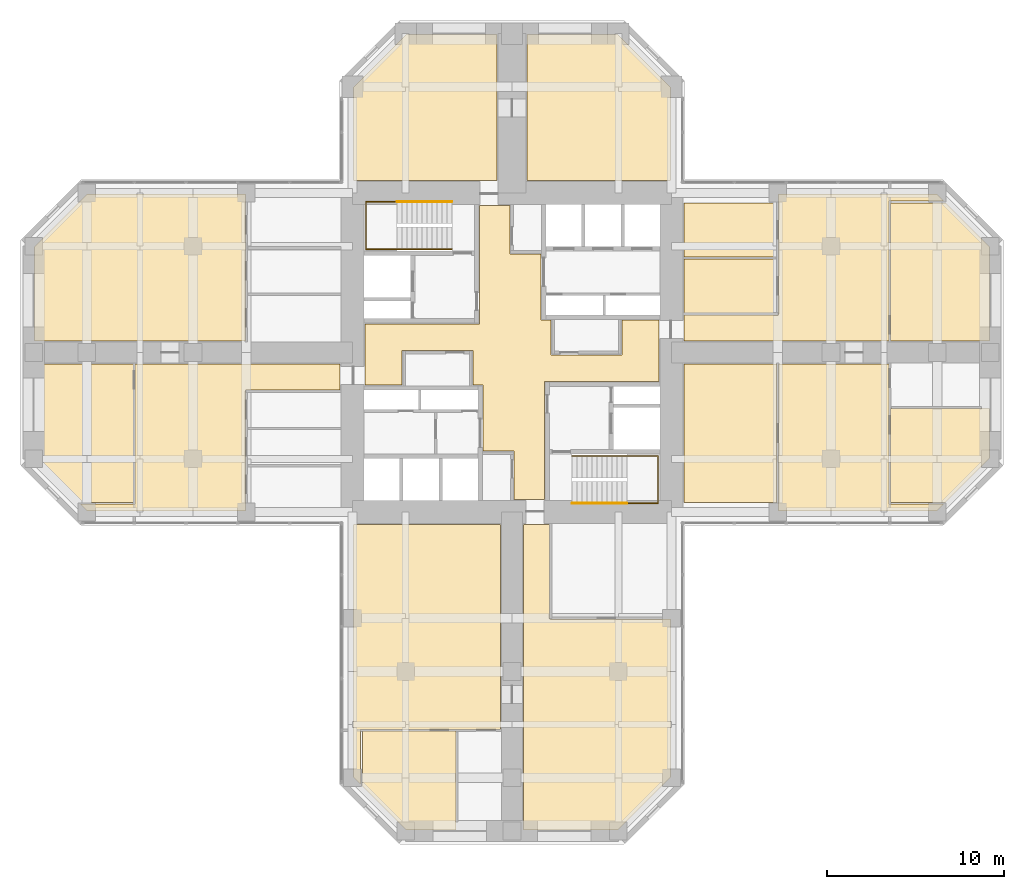
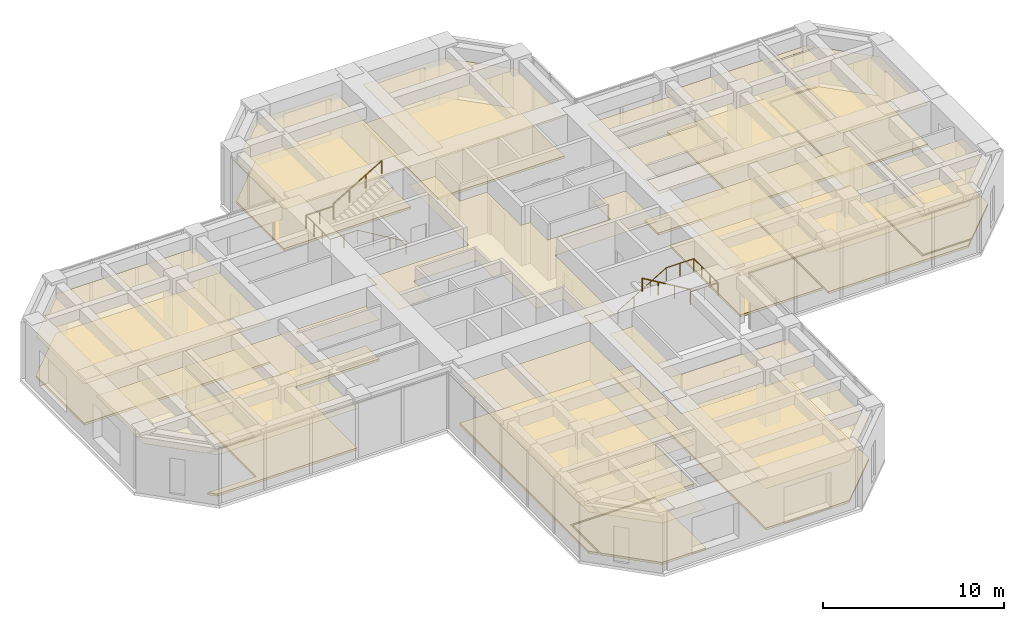
# One storey, part 12 of 12: 28 coverings, 4 railings.
"""IFC4 building model written with IfcOpenShell, lengths in metres."""

from ifc_helpers import new_model, si_unit, direction, frame, origin, origin_2d, place, context, subcontext, project, spatial, polyline, circle, outline, extrude, material, layer, layer_set, constituent, constituent_set, type_object, element, save


model = new_model("IFC4")

# Units and contexts
model_context = context("Model", 3, precision=1e-05, world=origin(), true_north=direction((0.0, 1.0)))
body_context = subcontext(model_context, "Body", "Model", "MODEL_VIEW")
ifc_project = project(units=[si_unit("LENGTHUNIT", "METRE"), si_unit("AREAUNIT", "SQUARE_METRE"), si_unit("VOLUMEUNIT", "CUBIC_METRE"), si_unit("PLANEANGLEUNIT", "RADIAN"), si_unit("MASSUNIT", "GRAM", prefix="KILO")], contexts=[model_context])

# Site, building, storey
site_placement = place(None, origin())
site = spatial("IfcSite", under=ifc_project, at=site_placement, CompositionType="ELEMENT")
building_placement = place(site_placement, origin())
building = spatial("IfcBuilding", under=site, at=building_placement, Name="Torre Cruceta", CompositionType="ELEMENT")
storey_placement = place(building_placement, frame((0.0, 0.0, 108.5)))
storey = spatial("IfcBuildingStorey", under=building, at=storey_placement, Name="L26", CompositionType="ELEMENT", Elevation=108.5)

# Railings
ifc_material_1 = material(Name="Stainless steel 1.4401", Category="steel")
railing_type = type_object("IfcRailingType", Name="HANDRAIL 900", PredefinedType="HANDRAIL", material=ifc_material_1)
railing_1_placement = place(storey_placement, frame((-3.39990234375, 5.8349609375, 0.166748046875)))
element("IfcRailing", 1, at=railing_1_placement, inside=storey, type_object=railing_type, Name="Handrail HR1 ST1 L26", PredefinedType="HANDRAIL", context=body_context, shape_type="SweptSolid", body=[
    extrude(circle(Radius=0.02392578125, at=origin_2d()), frame((0.0, 0.0, 0.8759765625), z_axis=(-0.859308565015, 0.0, 0.511457515432), x_axis=(0.0, -1.0, 0.0)), (0.0, 0.0, 1.0), 3.58447265625),
    extrude(circle(Radius=0.02392578125, at=origin_2d()), frame((-3.080078125, 0.0, 2.708984375), z_axis=(-1.0, 0.0, 0.0), x_axis=(0.0, -1.0, 0.0)), (0.0, 0.0, 1.0), 1.760009765625),
    extrude(circle(Radius=0.02392578125, at=origin_2d()), frame((-4.840087890625, 0.0, 2.708984375), z_axis=(0.0, 1.0, 0.0), x_axis=(-1.0, 0.0, 0.0)), (0.0, 0.0, 1.0), 2.679931640625),
    extrude(circle(Radius=0.02392578125, at=origin_2d()), frame((-4.840087890625, 2.679931640625, 2.708984375), z_axis=(1.0, 0.0, 0.0), x_axis=(0.0, 1.0, 0.0)), (0.0, 0.0, 1.0), 1.760009765625),
    extrude(circle(Radius=0.02099609375, at=origin_2d()), origin(), (0.0, 0.0, 1.0), 0.851806640625),
    extrude(circle(Radius=0.02099609375, at=origin_2d()), frame((-1.026611328125, 0.0, 0.611083984375)), (0.0, 0.0, 1.0), 0.851806640625),
    extrude(circle(Radius=0.02099609375, at=origin_2d()), frame((-2.053466796875, 0.0, 1.22216796875)), (0.0, 0.0, 1.0), 0.851806640625),
    extrude(circle(Radius=0.02099609375, at=origin_2d()), frame((-3.080078125, 0.0, 1.833251953125)), (0.0, 0.0, 1.0), 0.851806640625),
    extrude(circle(Radius=0.02099609375, at=origin_2d()), frame((-3.9599609375, 0.0, 1.833251953125)), (0.0, 0.0, 1.0), 0.851806640625),
    extrude(circle(Radius=0.02099609375, at=origin_2d()), frame((-4.840087890625, 0.0, 1.833251953125)), (0.0, 0.0, 1.0), 0.851806640625),
    extrude(circle(Radius=0.02099609375, at=origin_2d()), frame((-4.840087890625, 0.893310546875, 1.833251953125)), (0.0, 0.0, 1.0), 0.851806640625),
    extrude(circle(Radius=0.02099609375, at=origin_2d()), frame((-4.840087890625, 1.78662109375, 1.833251953125)), (0.0, 0.0, 1.0), 0.851806640625),
    extrude(circle(Radius=0.02099609375, at=origin_2d()), frame((-4.840087890625, 2.679931640625, 1.833251953125)), (0.0, 0.0, 1.0), 0.851806640625),
    extrude(circle(Radius=0.02099609375, at=origin_2d()), frame((-3.9599609375, 2.679931640625, 1.833251953125)), (0.0, 0.0, 1.0), 0.851806640625),
    extrude(circle(Radius=0.02099609375, at=origin_2d()), frame((-3.080078125, 2.679931640625, 1.833251953125)), (0.0, 0.0, 1.0), 0.851806640625),
])
railing_2_placement = place(storey_placement, frame((-6.47998046875, 8.514892578125, 2.166748046875)))
element("IfcRailing", 2, at=railing_2_placement, inside=storey, type_object=railing_type, Name="Handrail HR1 ST1 L26", PredefinedType="HANDRAIL", context=body_context, shape_type="SweptSolid", body=[
    extrude(circle(Radius=0.02392578125, at=origin_2d()), frame((0.0, 0.0, 0.8759765625), z_axis=(0.859308565015, 0.0, 0.511457515432), x_axis=(0.0, 1.0, 0.0)), (0.0, 0.0, 1.0), 3.58447265625),
    extrude(circle(Radius=0.02099609375, at=origin_2d()), origin(), (0.0, 0.0, 1.0), 0.851806640625),
    extrude(circle(Radius=0.02099609375, at=origin_2d()), frame((1.026611328125, 0.0, 0.611083984375)), (0.0, 0.0, 1.0), 0.851806640625),
    extrude(circle(Radius=0.02099609375, at=origin_2d()), frame((2.053466796875, 0.0, 1.22216796875)), (0.0, 0.0, 1.0), 0.851806640625),
    extrude(circle(Radius=0.02099609375, at=origin_2d()), frame((3.080078125, 0.0, 1.833251953125)), (0.0, 0.0, 1.0), 0.851806640625),
])
railing_3_placement = place(storey_placement, frame((3.39990234375, -5.8349609375, 0.166748046875)))
element("IfcRailing", 3, at=railing_3_placement, inside=storey, type_object=railing_type, Name="Handrail HR1 ST2 L26", PredefinedType="HANDRAIL", context=body_context, shape_type="SweptSolid", body=[
    extrude(circle(Radius=0.02392578125, at=origin_2d()), frame((0.0, 0.0, 0.8759765625), z_axis=(0.859308565015, 0.0, 0.511457515432), x_axis=(0.0, 1.0, 0.0)), (0.0, 0.0, 1.0), 3.58447265625),
    extrude(circle(Radius=0.02392578125, at=origin_2d()), frame((3.080078125, 0.0, 2.708984375), z_axis=(1.0, 0.0, 0.0), x_axis=(0.0, 1.0, 0.0)), (0.0, 0.0, 1.0), 1.760009765625),
    extrude(circle(Radius=0.02392578125, at=origin_2d()), frame((4.840087890625, 0.0, 2.708984375), z_axis=(0.0, -1.0, 0.0), x_axis=(1.0, 0.0, 0.0)), (0.0, 0.0, 1.0), 2.679931640625),
    extrude(circle(Radius=0.02392578125, at=origin_2d()), frame((4.840087890625, -2.679931640625, 2.708984375), z_axis=(-1.0, 0.0, 0.0), x_axis=(0.0, -1.0, 0.0)), (0.0, 0.0, 1.0), 1.760009765625),
    extrude(circle(Radius=0.02099609375, at=origin_2d()), origin(), (0.0, 0.0, 1.0), 0.851806640625),
    extrude(circle(Radius=0.02099609375, at=origin_2d()), frame((1.026611328125, 0.0, 0.611083984375)), (0.0, 0.0, 1.0), 0.851806640625),
    extrude(circle(Radius=0.02099609375, at=origin_2d()), frame((2.053466796875, 0.0, 1.22216796875)), (0.0, 0.0, 1.0), 0.851806640625),
    extrude(circle(Radius=0.02099609375, at=origin_2d()), frame((3.080078125, 0.0, 1.833251953125)), (0.0, 0.0, 1.0), 0.851806640625),
    extrude(circle(Radius=0.02099609375, at=origin_2d()), frame((3.9599609375, 0.0, 1.833251953125)), (0.0, 0.0, 1.0), 0.851806640625),
    extrude(circle(Radius=0.02099609375, at=origin_2d()), frame((4.840087890625, 0.0, 1.833251953125)), (0.0, 0.0, 1.0), 0.851806640625),
    extrude(circle(Radius=0.02099609375, at=origin_2d()), frame((4.840087890625, -0.893310546875, 1.833251953125)), (0.0, 0.0, 1.0), 0.851806640625),
    extrude(circle(Radius=0.02099609375, at=origin_2d()), frame((4.840087890625, -1.78662109375, 1.833251953125)), (0.0, 0.0, 1.0), 0.851806640625),
    extrude(circle(Radius=0.02099609375, at=origin_2d()), frame((4.840087890625, -2.679931640625, 1.833251953125)), (0.0, 0.0, 1.0), 0.851806640625),
    extrude(circle(Radius=0.02099609375, at=origin_2d()), frame((3.9599609375, -2.679931640625, 1.833251953125)), (0.0, 0.0, 1.0), 0.851806640625),
    extrude(circle(Radius=0.02099609375, at=origin_2d()), frame((3.080078125, -2.679931640625, 1.833251953125)), (0.0, 0.0, 1.0), 0.851806640625),
])
railing_4_placement = place(storey_placement, frame((6.47998046875, -8.514892578125, 2.166748046875)))
element("IfcRailing", 4, at=railing_4_placement, inside=storey, type_object=railing_type, Name="Handrail HR1 ST2 L26", PredefinedType="HANDRAIL", context=body_context, shape_type="SweptSolid", body=[
    extrude(circle(Radius=0.02392578125, at=origin_2d()), frame((0.0, 0.0, 0.8759765625), z_axis=(-0.859308565015, 0.0, 0.511457515432), x_axis=(0.0, -1.0, 0.0)), (0.0, 0.0, 1.0), 3.58447265625),
    extrude(circle(Radius=0.02099609375, at=origin_2d()), origin(), (0.0, 0.0, 1.0), 0.851806640625),
    extrude(circle(Radius=0.02099609375, at=origin_2d()), frame((-1.026611328125, 0.0, 0.611083984375)), (0.0, 0.0, 1.0), 0.851806640625),
    extrude(circle(Radius=0.02099609375, at=origin_2d()), frame((-2.053466796875, 0.0, 1.22216796875)), (0.0, 0.0, 1.0), 0.851806640625),
    extrude(circle(Radius=0.02099609375, at=origin_2d()), frame((-3.080078125, 0.0, 1.833251953125)), (0.0, 0.0, 1.0), 0.851806640625),
])

# Coverings
ifc_material_2 = material(Name="Steel DX51D", Category="steel")
ifc_constituent_1 = constituent(ifc_material_2, Name="Panel casing")
ifc_material_3 = material(Name="Calcium sulphate", Category="gypsum")
ifc_constituent_2 = constituent(ifc_material_3, Name="Panel core")
ifc_constituent_set = constituent_set(constituents=[ifc_constituent_1, ifc_constituent_2], Name="Raised access floor panel")
covering_type_1 = type_object("IfcCoveringType", Name="RAISED ACCESS FLOOR 150", PredefinedType="FLOORING", material=ifc_constituent_set)
covering_1_placement = place(storey_placement, origin())
element("IfcCovering", 5, at=covering_1_placement, inside=storey, type_object=covering_type_1, Name="Raised floor L26-027", PredefinedType="FLOORING", context=body_context, shape_type="SweptSolid", body=[
    extrude(outline(polyline([(-8.949951171875, 9.699951171875), (-8.949951171875, 14.979248046875), (-5.979248046875, 17.949951171875), (-0.85009765625, 17.949951171875), (-0.85009765625, 9.699951171875), (-8.949951171875, 9.699951171875)])), origin(), (0.0, 0.0, 1.0), 0.14990234375),
])
covering_2_placement = place(storey_placement, origin())
element("IfcCovering", 6, at=covering_2_placement, inside=storey, type_object=covering_type_1, Name="Raised floor L26-028", PredefinedType="FLOORING", context=body_context, shape_type="SweptSolid", body=[
    extrude(outline(polyline([(5.979248046875, 17.949951171875), (8.949951171875, 14.979248046875), (8.949951171875, 9.699951171875), (0.85009765625, 9.699951171875), (0.85009765625, 17.949951171875), (5.979248046875, 17.949951171875)])), origin(), (0.0, 0.0, 1.0), 0.14990234375),
])
covering_3_placement = place(storey_placement, origin())
element("IfcCovering", 7, at=covering_3_placement, inside=storey, type_object=covering_type_1, Name="Raised floor L26-031", PredefinedType="FLOORING", context=body_context, shape_type="SweptSolid", body=[
    extrude(outline(polyline([(9.699951171875, -8.449951171875), (9.699951171875, -0.64990234375), (14.949951171875, -0.64990234375), (14.949951171875, -8.449951171875), (9.699951171875, -8.449951171875)])), origin(), (0.0, 0.0, 1.0), 0.14990234375),
])
covering_4_placement = place(storey_placement, origin())
element("IfcCovering", 8, at=covering_4_placement, inside=storey, type_object=covering_type_1, Name="Raised floor L26-032", PredefinedType="FLOORING", context=body_context, shape_type="SweptSolid", body=[
    extrude(outline(polyline([(26.949951171875, 0.64990234375), (21.3701171875, 0.64990234375), (21.3701171875, 8.449951171875), (24.479248046875, 8.449951171875), (26.949951171875, 5.979248046875), (26.949951171875, 0.64990234375)])), origin(), (0.0, 0.0, 1.0), 0.14990234375),
])
covering_5_placement = place(storey_placement, origin())
element("IfcCovering", 9, at=covering_5_placement, inside=storey, type_object=covering_type_1, Name="Raised floor L26-034", PredefinedType="FLOORING", context=body_context, shape_type="SweptSolid", body=[
    extrude(outline(polyline([(24.479248046875, -8.449951171875), (21.3701171875, -8.449951171875), (21.3701171875, -3.16796875), (26.949951171875, -3.16796875), (26.949951171875, -5.979248046875), (24.479248046875, -8.449951171875)])), origin(), (0.0, 0.0, 1.0), 0.14990234375),
])
covering_6_placement = place(storey_placement, origin())
element("IfcCovering", 10, at=covering_6_placement, inside=storey, type_object=covering_type_1, Name="Raised floor L26-035", PredefinedType="FLOORING", context=body_context, shape_type="SweptSolid", body=[
    extrude(outline(polyline([(9.699951171875, 2.125), (15.050048828125, 2.125), (15.050048828125, 8.949951171875), (23.979248046875, 8.949951171875), (24.37939453125, 8.550048828125), (21.27001953125, 8.550048828125), (21.27001953125, 0.64990234375), (9.699951171875, 0.64990234375), (9.699951171875, 2.125)])), origin(), (0.0, 0.0, 1.0), 0.14990234375),
])
covering_7_placement = place(storey_placement, origin())
element("IfcCovering", 11, at=covering_7_placement, inside=storey, type_object=covering_type_1, Name="Raised floor L26-036", PredefinedType="FLOORING", context=body_context, shape_type="SweptSolid", body=[
    extrude(outline(polyline([(15.050048828125, -8.949951171875), (15.050048828125, -0.64990234375), (21.27001953125, -0.64990234375), (21.27001953125, -8.550048828125), (24.37939453125, -8.550048828125), (23.979248046875, -8.949951171875), (15.050048828125, -8.949951171875)])), origin(), (0.0, 0.0, 1.0), 0.14990234375),
])
covering_8_placement = place(storey_placement, origin())
element("IfcCovering", 12, at=covering_8_placement, inside=storey, type_object=covering_type_1, Name="Raised floor L26-039", PredefinedType="FLOORING", context=body_context, shape_type="SweptSolid", body=[
    extrude(outline(polyline([(-8.449951171875, -24.479248046875), (-8.449951171875, -21.3701171875), (-3.16796875, -21.3701171875), (-3.16796875, -26.949951171875), (-5.979248046875, -26.949951171875), (-8.449951171875, -24.479248046875)])), origin(), (0.0, 0.0, 1.0), 0.14990234375),
])
covering_9_placement = place(storey_placement, origin())
element("IfcCovering", 13, at=covering_9_placement, inside=storey, type_object=covering_type_1, Name="Raised floor L26-040", PredefinedType="FLOORING", context=body_context, shape_type="SweptSolid", body=[
    extrude(outline(polyline([(0.64990234375, -26.949951171875), (0.64990234375, -9.699951171875), (2.125, -9.699951171875), (2.125, -15.050048828125), (8.949951171875, -15.050048828125), (8.949951171875, -23.979248046875), (5.979248046875, -26.949951171875), (0.64990234375, -26.949951171875)])), origin(), (0.0, 0.0, 1.0), 0.14990234375),
])
covering_10_placement = place(storey_placement, origin())
element("IfcCovering", 14, at=covering_10_placement, inside=storey, type_object=covering_type_1, Name="Raised floor L26-041", PredefinedType="FLOORING", context=body_context, shape_type="SweptSolid", body=[
    extrude(outline(polyline([(-8.550048828125, -21.27001953125), (-8.550048828125, -24.37939453125), (-8.949951171875, -23.979248046875), (-8.949951171875, -9.699951171875), (-0.64990234375, -9.699951171875), (-0.64990234375, -21.27001953125), (-8.550048828125, -21.27001953125)])), origin(), (0.0, 0.0, 1.0), 0.14990234375),
])
covering_11_placement = place(storey_placement, origin())
element("IfcCovering", 15, at=covering_11_placement, inside=storey, type_object=covering_type_1, Name="Raised floor L26-049", PredefinedType="FLOORING", context=body_context, shape_type="SweptSolid", body=[
    extrude(outline(polyline([(-9.699951171875, -2.125), (-15.050048828125, -2.125), (-15.050048828125, -8.949951171875), (-23.979248046875, -8.949951171875), (-24.37939453125, -8.550048828125), (-21.27001953125, -8.550048828125), (-21.27001953125, -0.64990234375), (-9.699951171875, -0.64990234375), (-9.699951171875, -2.125)])), origin(), (0.0, 0.0, 1.0), 0.14990234375),
])
covering_12_placement = place(storey_placement, origin())
element("IfcCovering", 16, at=covering_12_placement, inside=storey, type_object=covering_type_1, Name="Raised floor L26-050", PredefinedType="FLOORING", context=body_context, shape_type="SweptSolid", body=[
    extrude(outline(polyline([(-23.979248046875, 8.949951171875), (-15.050048828125, 8.949951171875), (-15.050048828125, 0.64990234375), (-26.949951171875, 0.64990234375), (-26.949951171875, 5.979248046875), (-23.979248046875, 8.949951171875)])), origin(), (0.0, 0.0, 1.0), 0.14990234375),
])
ifc_material_4 = material(Name="Mineral fibre ceiling tile", Category="gypsum")
ifc_layer = layer(ifc_material_4, 0.02001953125)
ifc_layer_set = layer_set([ifc_layer], Name="Mineral fibre ceiling tile")
covering_type_2 = type_object("IfcCoveringType", Name="SUSPENDED CEILING 20", PredefinedType="CEILING", material=ifc_layer_set)
covering_13_placement = place(storey_placement, frame((0.0, 0.0, 2.780029296875)))
element("IfcCovering", 17, at=covering_13_placement, inside=storey, type_object=covering_type_2, Name="Ceiling L26-001", PredefinedType="CEILING", context=body_context, shape_type="SweptSolid", body=[
    extrude(outline(polyline([(1.824951171875, -8.300048828125), (0.125, -8.300048828125), (0.125, -5.550048828125), (-1.625, -5.550048828125), (-1.625, -1.824951171875), (-2.199951171875, -1.824951171875), (-2.199951171875, 0.125), (-6.199951171875, 0.125), (-6.199951171875, -1.824951171875), (-8.300048828125, -1.824951171875), (-8.300048828125, 1.625), (-1.824951171875, 1.625), (-1.824951171875, 8.300048828125), (-0.125, 8.300048828125), (-0.125, 5.550048828125), (1.625, 5.550048828125), (1.625, 1.824951171875), (2.199951171875, 1.824951171875), (2.199951171875, -0.125), (6.199951171875, -0.125), (6.199951171875, 1.824951171875), (8.300048828125, 1.824951171875), (8.300048828125, -1.625), (1.824951171875, -1.625), (1.824951171875, -8.300048828125)])), origin(), (0.0, 0.0, 1.0), 0.02001953125),
])
covering_14_placement = place(storey_placement, frame((0.0, 0.0, 2.780029296875)))
element("IfcCovering", 18, at=covering_14_placement, inside=storey, type_object=covering_type_2, Name="Ceiling L26-027", PredefinedType="CEILING", context=body_context, shape_type="SweptSolid", body=[
    extrude(outline(polyline([(-8.949951171875, 9.699951171875), (-8.949951171875, 14.979248046875), (-5.979248046875, 17.949951171875), (-0.85009765625, 17.949951171875), (-0.85009765625, 9.699951171875), (-8.949951171875, 9.699951171875)])), origin(), (0.0, 0.0, 1.0), 0.02001953125),
])
covering_15_placement = place(storey_placement, frame((0.0, 0.0, 2.780029296875)))
element("IfcCovering", 19, at=covering_15_placement, inside=storey, type_object=covering_type_2, Name="Ceiling L26-028", PredefinedType="CEILING", context=body_context, shape_type="SweptSolid", body=[
    extrude(outline(polyline([(5.979248046875, 17.949951171875), (8.949951171875, 14.979248046875), (8.949951171875, 9.699951171875), (0.85009765625, 9.699951171875), (0.85009765625, 17.949951171875), (5.979248046875, 17.949951171875)])), origin(), (0.0, 0.0, 1.0), 0.02001953125),
])
covering_16_placement = place(storey_placement, frame((0.0, 0.0, 2.780029296875)))
element("IfcCovering", 20, at=covering_16_placement, inside=storey, type_object=covering_type_2, Name="Ceiling L26-029", PredefinedType="CEILING", context=body_context, shape_type="SweptSolid", body=[
    extrude(outline(polyline([(9.699951171875, 2.22509765625), (9.699951171875, 5.28759765625), (14.949951171875, 5.28759765625), (14.949951171875, 2.22509765625), (9.699951171875, 2.22509765625)])), origin(), (0.0, 0.0, 1.0), 0.02001953125),
])
covering_17_placement = place(storey_placement, frame((0.0, 0.0, 2.780029296875)))
element("IfcCovering", 21, at=covering_17_placement, inside=storey, type_object=covering_type_2, Name="Ceiling L26-030", PredefinedType="CEILING", context=body_context, shape_type="SweptSolid", body=[
    extrude(outline(polyline([(9.699951171875, 5.387451171875), (9.699951171875, 8.449951171875), (14.949951171875, 8.449951171875), (14.949951171875, 5.387451171875), (9.699951171875, 5.387451171875)])), origin(), (0.0, 0.0, 1.0), 0.02001953125),
])
covering_18_placement = place(storey_placement, frame((0.0, 0.0, 2.780029296875)))
element("IfcCovering", 22, at=covering_18_placement, inside=storey, type_object=covering_type_2, Name="Ceiling L26-031", PredefinedType="CEILING", context=body_context, shape_type="SweptSolid", body=[
    extrude(outline(polyline([(9.699951171875, -8.449951171875), (9.699951171875, -0.64990234375), (14.949951171875, -0.64990234375), (14.949951171875, -8.449951171875), (9.699951171875, -8.449951171875)])), origin(), (0.0, 0.0, 1.0), 0.02001953125),
])
covering_19_placement = place(storey_placement, frame((0.0, 0.0, 2.780029296875)))
element("IfcCovering", 23, at=covering_19_placement, inside=storey, type_object=covering_type_2, Name="Ceiling L26-032", PredefinedType="CEILING", context=body_context, shape_type="SweptSolid", body=[
    extrude(outline(polyline([(26.949951171875, 0.64990234375), (21.3701171875, 0.64990234375), (21.3701171875, 8.449951171875), (24.479248046875, 8.449951171875), (26.949951171875, 5.979248046875), (26.949951171875, 0.64990234375)])), origin(), (0.0, 0.0, 1.0), 0.02001953125),
])
covering_20_placement = place(storey_placement, frame((0.0, 0.0, 2.780029296875)))
element("IfcCovering", 24, at=covering_20_placement, inside=storey, type_object=covering_type_2, Name="Ceiling L26-034", PredefinedType="CEILING", context=body_context, shape_type="SweptSolid", body=[
    extrude(outline(polyline([(24.479248046875, -8.449951171875), (21.3701171875, -8.449951171875), (21.3701171875, -3.16796875), (26.949951171875, -3.16796875), (26.949951171875, -5.979248046875), (24.479248046875, -8.449951171875)])), origin(), (0.0, 0.0, 1.0), 0.02001953125),
])
covering_21_placement = place(storey_placement, frame((0.0, 0.0, 2.780029296875)))
element("IfcCovering", 25, at=covering_21_placement, inside=storey, type_object=covering_type_2, Name="Ceiling L26-035", PredefinedType="CEILING", context=body_context, shape_type="SweptSolid", body=[
    extrude(outline(polyline([(9.699951171875, 2.125), (15.050048828125, 2.125), (15.050048828125, 8.949951171875), (23.979248046875, 8.949951171875), (24.37939453125, 8.550048828125), (21.27001953125, 8.550048828125), (21.27001953125, 0.64990234375), (9.699951171875, 0.64990234375), (9.699951171875, 2.125)])), origin(), (0.0, 0.0, 1.0), 0.02001953125),
])
covering_22_placement = place(storey_placement, frame((0.0, 0.0, 2.780029296875)))
element("IfcCovering", 26, at=covering_22_placement, inside=storey, type_object=covering_type_2, Name="Ceiling L26-036", PredefinedType="CEILING", context=body_context, shape_type="SweptSolid", body=[
    extrude(outline(polyline([(15.050048828125, -8.949951171875), (15.050048828125, -0.64990234375), (21.27001953125, -0.64990234375), (21.27001953125, -8.550048828125), (24.37939453125, -8.550048828125), (23.979248046875, -8.949951171875), (15.050048828125, -8.949951171875)])), origin(), (0.0, 0.0, 1.0), 0.02001953125),
])
covering_23_placement = place(storey_placement, frame((0.0, 0.0, 2.780029296875)))
element("IfcCovering", 27, at=covering_23_placement, inside=storey, type_object=covering_type_2, Name="Ceiling L26-039", PredefinedType="CEILING", context=body_context, shape_type="SweptSolid", body=[
    extrude(outline(polyline([(-8.449951171875, -24.479248046875), (-8.449951171875, -21.3701171875), (-3.16796875, -21.3701171875), (-3.16796875, -26.949951171875), (-5.979248046875, -26.949951171875), (-8.449951171875, -24.479248046875)])), origin(), (0.0, 0.0, 1.0), 0.02001953125),
])
covering_24_placement = place(storey_placement, frame((0.0, 0.0, 2.780029296875)))
element("IfcCovering", 28, at=covering_24_placement, inside=storey, type_object=covering_type_2, Name="Ceiling L26-040", PredefinedType="CEILING", context=body_context, shape_type="SweptSolid", body=[
    extrude(outline(polyline([(0.64990234375, -26.949951171875), (0.64990234375, -9.699951171875), (2.125, -9.699951171875), (2.125, -15.050048828125), (8.949951171875, -15.050048828125), (8.949951171875, -23.979248046875), (5.979248046875, -26.949951171875), (0.64990234375, -26.949951171875)])), origin(), (0.0, 0.0, 1.0), 0.02001953125),
])
covering_25_placement = place(storey_placement, frame((0.0, 0.0, 2.780029296875)))
element("IfcCovering", 29, at=covering_25_placement, inside=storey, type_object=covering_type_2, Name="Ceiling L26-041", PredefinedType="CEILING", context=body_context, shape_type="SweptSolid", body=[
    extrude(outline(polyline([(-8.550048828125, -21.27001953125), (-8.550048828125, -24.37939453125), (-8.949951171875, -23.979248046875), (-8.949951171875, -9.699951171875), (-0.64990234375, -9.699951171875), (-0.64990234375, -21.27001953125), (-8.550048828125, -21.27001953125)])), origin(), (0.0, 0.0, 1.0), 0.02001953125),
])
covering_26_placement = place(storey_placement, frame((0.0, 0.0, 2.780029296875)))
element("IfcCovering", 30, at=covering_26_placement, inside=storey, type_object=covering_type_2, Name="Ceiling L26-048", PredefinedType="CEILING", context=body_context, shape_type="SweptSolid", body=[
    extrude(outline(polyline([(-26.949951171875, -0.64990234375), (-21.3701171875, -0.64990234375), (-21.3701171875, -8.449951171875), (-24.479248046875, -8.449951171875), (-26.949951171875, -5.979248046875), (-26.949951171875, -0.64990234375)])), origin(), (0.0, 0.0, 1.0), 0.02001953125),
])
covering_27_placement = place(storey_placement, frame((0.0, 0.0, 2.780029296875)))
element("IfcCovering", 31, at=covering_27_placement, inside=storey, type_object=covering_type_2, Name="Ceiling L26-049", PredefinedType="CEILING", context=body_context, shape_type="SweptSolid", body=[
    extrude(outline(polyline([(-9.699951171875, -2.125), (-15.050048828125, -2.125), (-15.050048828125, -8.949951171875), (-23.979248046875, -8.949951171875), (-24.37939453125, -8.550048828125), (-21.27001953125, -8.550048828125), (-21.27001953125, -0.64990234375), (-9.699951171875, -0.64990234375), (-9.699951171875, -2.125)])), origin(), (0.0, 0.0, 1.0), 0.02001953125),
])
covering_28_placement = place(storey_placement, frame((0.0, 0.0, 2.780029296875)))
element("IfcCovering", 32, at=covering_28_placement, inside=storey, type_object=covering_type_2, Name="Ceiling L26-050", PredefinedType="CEILING", context=body_context, shape_type="SweptSolid", body=[
    extrude(outline(polyline([(-23.979248046875, 8.949951171875), (-15.050048828125, 8.949951171875), (-15.050048828125, 0.64990234375), (-26.949951171875, 0.64990234375), (-26.949951171875, 5.979248046875), (-23.979248046875, 8.949951171875)])), origin(), (0.0, 0.0, 1.0), 0.02001953125),
])

save(model, "model.ifc")
